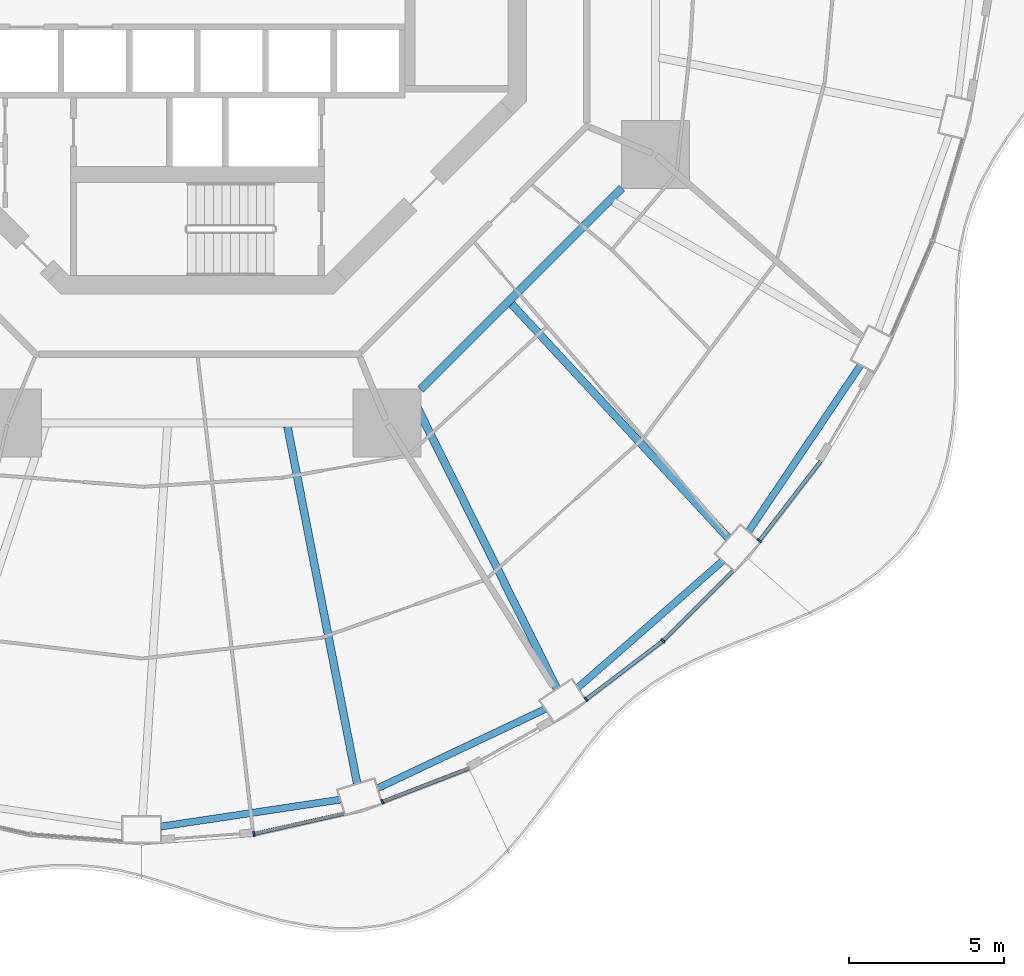
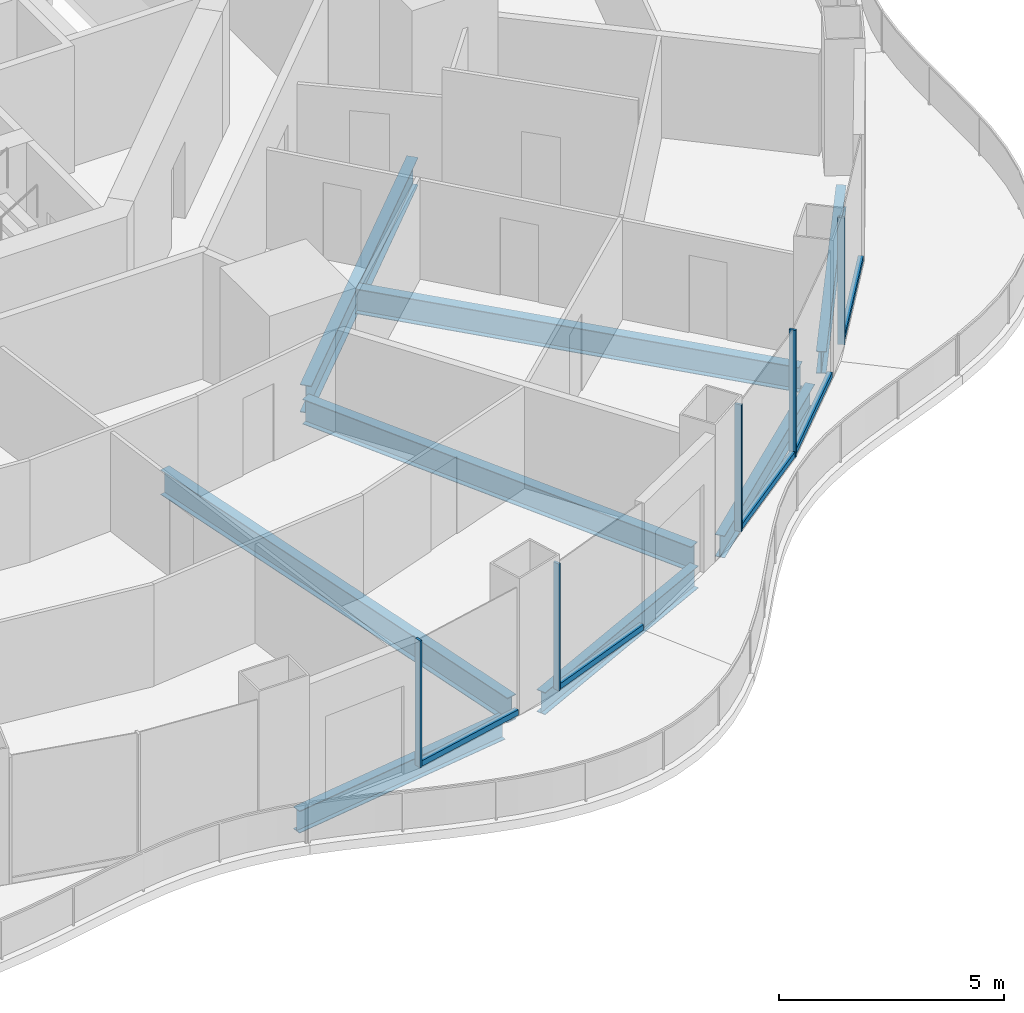
# One storey, part 5 of 22: 10 members, 8 beams, 5 elements without a shape of their own.
"""IFC4 building model written with IfcOpenShell, lengths in metres."""

from ifc_helpers import new_model, si_unit, direction, frame, origin, origin_2d, place, context, subcontext, project, spatial, rectangle, i_section, extrude, material, layer, layer_set, material_profile, profile_set, type_object, element, aggregate, save


model = new_model("IFC4")

# Units and contexts
model_context = context("Model", 3, precision=1e-05, world=origin(), true_north=direction((0.0, 1.0)))
body_context = subcontext(model_context, "Body", "Model", "MODEL_VIEW")
ifc_project = project(units=[si_unit("LENGTHUNIT", "METRE"), si_unit("AREAUNIT", "SQUARE_METRE"), si_unit("VOLUMEUNIT", "CUBIC_METRE"), si_unit("PLANEANGLEUNIT", "RADIAN"), si_unit("MASSUNIT", "GRAM", prefix="KILO")], contexts=[model_context])

# Site, building, storey
site_placement = place(None, origin())
site = spatial("IfcSite", under=ifc_project, at=site_placement, CompositionType="ELEMENT")
building_placement = place(site_placement, origin())
building = spatial("IfcBuilding", under=site, at=building_placement, Name="Nagisa Residences", CompositionType="ELEMENT")
storey_placement = place(building_placement, frame((0.0, 0.0, 88.10009765625)))
storey = spatial("IfcBuildingStorey", under=building, at=storey_placement, Name="L21", CompositionType="ELEMENT", Elevation=88.10009765625)

# Curtain wall, member
ifc_material_1 = material(Name="Concrete-coloured aluminium curtain wall system", Category="concrete")
ifc_layer = layer(ifc_material_1, 0.159912109375)
ifc_layer_set = layer_set([ifc_layer], Name="CW1 CURTAIN WALL")
curtain_wall_type = type_object("IfcCurtainWallType", Name="CW1 CURTAIN WALL", PredefinedType="NOTDEFINED", material=ifc_layer_set)
curtain_wall_1_placement = place(storey_placement, origin())
curtain_wall_1 = element("IfcCurtainWall", 1, at=curtain_wall_1_placement, inside=storey, type_object=curtain_wall_type, Name="cw:CW1:L21:37", PredefinedType="NOTDEFINED")
ifc_material_2 = material(Name="Concrete-coloured aluminium", Category="concrete")
ifc_material_profile_1 = material_profile(ifc_material_2, rectangle(XDim=0.159912109375, YDim=0.06005859375, at=origin_2d()), Name="CW1 MULLION 160x60")
ifc_profile_set_1 = profile_set([ifc_material_profile_1], Name="Concrete-coloured aluminium")
member_type_1 = type_object("IfcMemberType", Name="CW1 MULLION 160x60", PredefinedType="MULLION", material=ifc_profile_set_1)
member_1_placement = place(storey_placement, frame((1.826416015625, -28.04296875, 0.0), z_axis=(0.0, 0.0, 1.0), x_axis=(-0.2207639201, 0.975327274089, 0.0)))
member_1 = element("IfcMember", 2, at=member_1_placement, type_object=member_type_1, Name="CW1 mullion", PredefinedType="MULLION", context=body_context, shape_type="SweptSolid", body=[
    extrude(rectangle(XDim=0.159912109375, YDim=0.06005859375, at=origin_2d()), origin(), (0.0, 0.0, 1.0), 3.43994140625),
])

curtain_wall_2_placement = place(storey_placement, origin())
curtain_wall_2 = element("IfcCurtainWall", 3, at=curtain_wall_2_placement, inside=storey, type_object=curtain_wall_type, Name="cw:CW1:L21:38", PredefinedType="NOTDEFINED")
member_2_placement = place(storey_placement, frame((5.973388671875, -27.00390625, 0.0), z_axis=(0.0, 0.0, 1.0), x_axis=(-0.360327770268, 0.932825759707, 0.0)))
member_2 = element("IfcMember", 4, at=member_2_placement, type_object=member_type_1, Name="CW1 mullion", PredefinedType="MULLION", context=body_context, shape_type="SweptSolid", body=[
    extrude(rectangle(XDim=0.159912109375, YDim=0.06005859375, at=origin_2d()), origin(), (0.0, 0.0, 1.0), 3.43994140625),
])

curtain_wall_3_placement = place(storey_placement, origin())
curtain_wall_3 = element("IfcCurtainWall", 5, at=curtain_wall_3_placement, inside=storey, type_object=curtain_wall_type, Name="cw:CW1:L21:40", PredefinedType="NOTDEFINED")
member_3_placement = place(storey_placement, frame((12.540283203125, -23.699951171875, 0.0), z_axis=(0.0, 0.0, 1.0), x_axis=(-0.605255421737, 0.79603132756, 0.0)))
member_3 = element("IfcMember", 6, at=member_3_placement, type_object=member_type_1, Name="CW1 mullion", PredefinedType="MULLION", context=body_context, shape_type="SweptSolid", body=[
    extrude(rectangle(XDim=0.159912109375, YDim=0.06005859375, at=origin_2d()), origin(), (0.0, 0.0, 1.0), 3.43994140625),
])

curtain_wall_4_placement = place(storey_placement, origin())
curtain_wall_4 = element("IfcCurtainWall", 7, at=curtain_wall_4_placement, inside=storey, type_object=curtain_wall_type, Name="cw:CW1:L21:41", PredefinedType="NOTDEFINED")
member_4_placement = place(storey_placement, frame((15.0244140625, -21.80712890625, 0.0), z_axis=(0.0, 0.0, 1.0), x_axis=(-0.706376885714, 0.707835924016, 0.0)))
member_4 = element("IfcMember", 8, at=member_4_placement, type_object=member_type_1, Name="CW1 mullion", PredefinedType="MULLION", context=body_context, shape_type="SweptSolid", body=[
    extrude(rectangle(XDim=0.159912109375, YDim=0.06005859375, at=origin_2d()), origin(), (0.0, 0.0, 1.0), 3.43994140625),
])

curtain_wall_5_placement = place(storey_placement, origin())
curtain_wall_5 = element("IfcCurtainWall", 9, at=curtain_wall_5_placement, inside=storey, type_object=curtain_wall_type, Name="cw:CW1:L21:42", PredefinedType="NOTDEFINED")
member_5_placement = place(storey_placement, frame((18.135009765625, -18.579345703125, 0.0), z_axis=(0.0, 0.0, 1.0), x_axis=(-0.792070340816, 0.610429828235, 0.0)))
member_5 = element("IfcMember", 10, at=member_5_placement, type_object=member_type_1, Name="CW1 mullion", PredefinedType="MULLION", context=body_context, shape_type="SweptSolid", body=[
    extrude(rectangle(XDim=0.159912109375, YDim=0.06005859375, at=origin_2d()), origin(), (0.0, 0.0, 1.0), 3.43994140625),
])

# Member
ifc_material_3 = material(Name="Concrete-coloured aluminium", Category="concrete")
ifc_material_profile_2 = material_profile(ifc_material_3, rectangle(XDim=0.1201171875, YDim=0.14990234375, at=origin_2d()), Name="CW1 TRANSOM 120x150")
ifc_profile_set_2 = profile_set([ifc_material_profile_2], Name="Concrete-coloured aluminium")
member_type_2 = type_object("IfcMemberType", Name="CW1 TRANSOM 120x150", PredefinedType="USERDEFINED", material=ifc_profile_set_2)
member_6_placement = place(storey_placement, frame((1.79736328125, -28.049560546875, 0.074951171875), z_axis=(0.975331196789, 0.220746589036, 0.0), x_axis=(-0.220746589036, 0.975331196789, 0.0)))
member_6 = element("IfcMember", 11, at=member_6_placement, type_object=member_type_2, Name="CW1 transom", ObjectType="TRANSOM", PredefinedType="USERDEFINED", context=body_context, shape_type="SweptSolid", body=[
    extrude(rectangle(XDim=0.1201171875, YDim=0.14990234375, at=origin_2d()), origin(), (0.0, 0.0, 1.0), 2.99267578125),
])

aggregate(curtain_wall_1, [member_1, member_6])

member_7_placement = place(storey_placement, frame((5.945556640625, -27.0146484375, 0.074951171875), z_axis=(0.932827091302, 0.360324322982, 0.0), x_axis=(-0.360324322982, 0.932827091302, 0.0)))
member_7 = element("IfcMember", 12, at=member_7_placement, type_object=member_type_2, Name="CW1 transom", ObjectType="TRANSOM", PredefinedType="USERDEFINED", context=body_context, shape_type="SweptSolid", body=[
    extrude(rectangle(XDim=0.1201171875, YDim=0.14990234375, at=origin_2d()), origin(), (0.0, 0.0, 1.0), 3.02734375),
])

aggregate(curtain_wall_2, [member_2, member_7])

member_8_placement = place(storey_placement, frame((12.5166015625, -23.718017578125, 0.074951171875), z_axis=(0.796000041424, 0.605296567025, 0.0), x_axis=(-0.605296567025, 0.796000041424, 0.0)))
member_8 = element("IfcMember", 13, at=member_8_placement, type_object=member_type_2, Name="CW1 transom", ObjectType="TRANSOM", PredefinedType="USERDEFINED", context=body_context, shape_type="SweptSolid", body=[
    extrude(rectangle(XDim=0.1201171875, YDim=0.14990234375, at=origin_2d()), origin(), (0.0, 0.0, 1.0), 3.134033203125),
])

aggregate(curtain_wall_3, [member_3, member_8])

member_9_placement = place(storey_placement, frame((15.003173828125, -21.828125, 0.074951171875), z_axis=(0.707831724839, 0.70638109354, 0.0), x_axis=(-0.70638109354, 0.707831724839, 0.0)))
member_9 = element("IfcMember", 14, at=member_9_placement, type_object=member_type_2, Name="CW1 transom", ObjectType="TRANSOM", PredefinedType="USERDEFINED", context=body_context, shape_type="SweptSolid", body=[
    extrude(rectangle(XDim=0.1201171875, YDim=0.14990234375, at=origin_2d()), origin(), (0.0, 0.0, 1.0), 3.19775390625),
])

aggregate(curtain_wall_4, [member_4, member_9])

member_10_placement = place(storey_placement, frame((18.11669921875, -18.60302734375, 0.074951171875), z_axis=(0.610458970322, 0.792047880847, 0.0), x_axis=(-0.792047880847, 0.610458970322, 0.0)))
member_10 = element("IfcMember", 15, at=member_10_placement, type_object=member_type_2, Name="CW1 transom", ObjectType="TRANSOM", PredefinedType="USERDEFINED", context=body_context, shape_type="SweptSolid", body=[
    extrude(rectangle(XDim=0.1201171875, YDim=0.14990234375, at=origin_2d()), origin(), (0.0, 0.0, 1.0), 3.262939453125),
])

aggregate(curtain_wall_5, [member_5, member_10])

# Beams
ifc_material_4 = material(Name="Steel ASTM A572 Gr 50", Category="steel")
ifc_material_profile_3 = material_profile(ifc_material_4, i_section(OverallWidth=0.264892578125, OverallDepth=0.7529296875, WebThickness=0.01318359375, FlangeThickness=0.01708984375, at=origin_2d()), Name="W760x147")
ifc_profile_set_3 = profile_set([ifc_material_profile_3], Name="Steel ASTM A572 Gr 50")
beam_type_1 = type_object("IfcBeamType", Name="Inner ring beam W760x147", PredefinedType="BEAM", material=ifc_profile_set_3)
beam_1_placement = place(storey_placement, frame((7.208740234375, -13.6962890625, -0.63671875), z_axis=(0.707106781187, 0.707106781187, 0.0), x_axis=(-0.707106781187, 0.707106781187, 0.0)))
element("IfcBeam", 16, at=beam_1_placement, inside=storey, type_object=beam_type_1, Name="beam:L21:ib7", PredefinedType="BEAM", context=body_context, shape_type="SweptSolid", body=[
    extrude(i_section(OverallWidth=0.264892578125, OverallDepth=0.7529296875, WebThickness=0.01318359375, FlangeThickness=0.01708984375, at=origin_2d()), origin(), (0.0, 0.0, 1.0), 9.1748046875),
])
ifc_material_5 = material(Name="Steel ASTM A572 Gr 50", Category="steel")
ifc_material_profile_4 = material_profile(ifc_material_5, i_section(OverallWidth=0.22802734375, OverallDepth=0.60302734375, WebThickness=0.010498046875, FlangeThickness=0.014892578125, at=origin_2d()), Name="W610x101")
ifc_profile_set_4 = profile_set([ifc_material_profile_4], Name="Steel ASTM A572 Gr 50")
beam_type_2 = type_object("IfcBeamType", Name="Perimeter ring beam W610x101", PredefinedType="BEAM", material=ifc_profile_set_4)
beam_2_placement = place(storey_placement, frame((-1.169677734375, -27.802734375, -0.5615234375), z_axis=(0.988913048607, 0.148495731568, 0.0), x_axis=(-0.148495731568, 0.988913048607, 0.0)))
element("IfcBeam", 17, at=beam_2_placement, inside=storey, type_object=beam_type_2, Name="beam:L21:pb19", PredefinedType="BEAM", context=body_context, shape_type="SweptSolid", body=[
    extrude(i_section(OverallWidth=0.22802734375, OverallDepth=0.60302734375, WebThickness=0.010498046875, FlangeThickness=0.014892578125, at=origin_2d()), origin(), (0.0, 0.0, 1.0), 5.843017578125),
])
beam_3_placement = place(storey_placement, frame((5.814453125, -26.568359375, -0.5615234375), z_axis=(0.904196975776, 0.427115709144, 0.0), x_axis=(-0.427115709144, 0.904196975776, 0.0)))
element("IfcBeam", 18, at=beam_3_placement, inside=storey, type_object=beam_type_2, Name="beam:L21:pb20", PredefinedType="BEAM", context=body_context, shape_type="SweptSolid", body=[
    extrude(i_section(OverallWidth=0.22802734375, OverallDepth=0.60302734375, WebThickness=0.010498046875, FlangeThickness=0.014892578125, at=origin_2d()), origin(), (0.0, 0.0, 1.0), 5.980712890625),
])
beam_4_placement = place(storey_placement, frame((12.2763671875, -23.322998046875, -0.5615234375), z_axis=(0.752525569707, 0.658563031863, 0.0), x_axis=(-0.658563031863, 0.752525569707, 0.0)))
element("IfcBeam", 19, at=beam_4_placement, inside=storey, type_object=beam_type_2, Name="beam:L21:pb21", PredefinedType="BEAM", context=body_context, shape_type="SweptSolid", body=[
    extrude(i_section(OverallWidth=0.22802734375, OverallDepth=0.60302734375, WebThickness=0.010498046875, FlangeThickness=0.014892578125, at=origin_2d()), origin(), (0.0, 0.0, 1.0), 6.21240234375),
])
beam_5_placement = place(storey_placement, frame((17.784423828125, -18.2861328125, -0.5615234375), z_axis=(0.558229575935, 0.829686531499, 0.0), x_axis=(-0.829686531499, 0.558229575935, 0.0)))
element("IfcBeam", 20, at=beam_5_placement, inside=storey, type_object=beam_type_2, Name="beam:L21:pb22", PredefinedType="BEAM", context=body_context, shape_type="SweptSolid", body=[
    extrude(i_section(OverallWidth=0.22802734375, OverallDepth=0.60302734375, WebThickness=0.010498046875, FlangeThickness=0.014892578125, at=origin_2d()), origin(), (0.0, 0.0, 1.0), 6.471923828125),
])
ifc_material_6 = material(Name="Steel ASTM A572 Gr 50", Category="steel")
ifc_material_profile_5 = material_profile(ifc_material_6, i_section(OverallWidth=0.2529296875, OverallDepth=0.677978515625, WebThickness=0.01171875, FlangeThickness=0.016357421875, at=origin_2d()), Name="W690x125")
ifc_profile_set_5 = profile_set([ifc_material_profile_5], Name="Steel ASTM A572 Gr 50")
beam_type_3 = type_object("IfcBeamType", Name="Radial beam W690x125", PredefinedType="BEAM", material=ifc_profile_set_5)
beam_6_placement = place(storey_placement, frame((5.15576171875, -26.416015625, -0.59912109375), z_axis=(-0.191554340045, 0.981482009417, 0.0), x_axis=(-0.981482009417, -0.191554340045, 0.0)))
element("IfcBeam", 21, at=beam_6_placement, inside=storey, type_object=beam_type_3, Name="beam:L21:rb20", PredefinedType="BEAM", context=body_context, shape_type="SweptSolid", body=[
    extrude(i_section(OverallWidth=0.2529296875, OverallDepth=0.677978515625, WebThickness=0.01171875, FlangeThickness=0.016357421875, at=origin_2d()), origin(), (0.0, 0.0, 1.0), 11.73828125),
])
beam_7_placement = place(storey_placement, frame((11.604736328125, -23.35400390625, -0.59912109375), z_axis=(-0.444988448889, 0.895536308787, 0.0), x_axis=(-0.895536308787, -0.444988448889, 0.0)))
element("IfcBeam", 22, at=beam_7_placement, inside=storey, type_object=beam_type_3, Name="beam:L21:rb21", PredefinedType="BEAM", context=body_context, shape_type="SweptSolid", body=[
    extrude(i_section(OverallWidth=0.2529296875, OverallDepth=0.677978515625, WebThickness=0.01171875, FlangeThickness=0.016357421875, at=origin_2d()), origin(), (0.0, 0.0, 1.0), 10.364013671875),
])
beam_8_placement = place(storey_placement, frame((17.135986328125, -18.49609375, -0.59912109375), z_axis=(-0.67961674612, 0.733567364591, 0.0), x_axis=(-0.733567364591, -0.67961674612, 0.0)))
element("IfcBeam", 23, at=beam_8_placement, inside=storey, type_object=beam_type_3, Name="beam:L21:rb22", PredefinedType="BEAM", context=body_context, shape_type="SweptSolid", body=[
    extrude(i_section(OverallWidth=0.2529296875, OverallDepth=0.677978515625, WebThickness=0.01171875, FlangeThickness=0.016357421875, at=origin_2d()), origin(), (0.0, 0.0, 1.0), 10.30859375),
])

save(model, "model.ifc")
